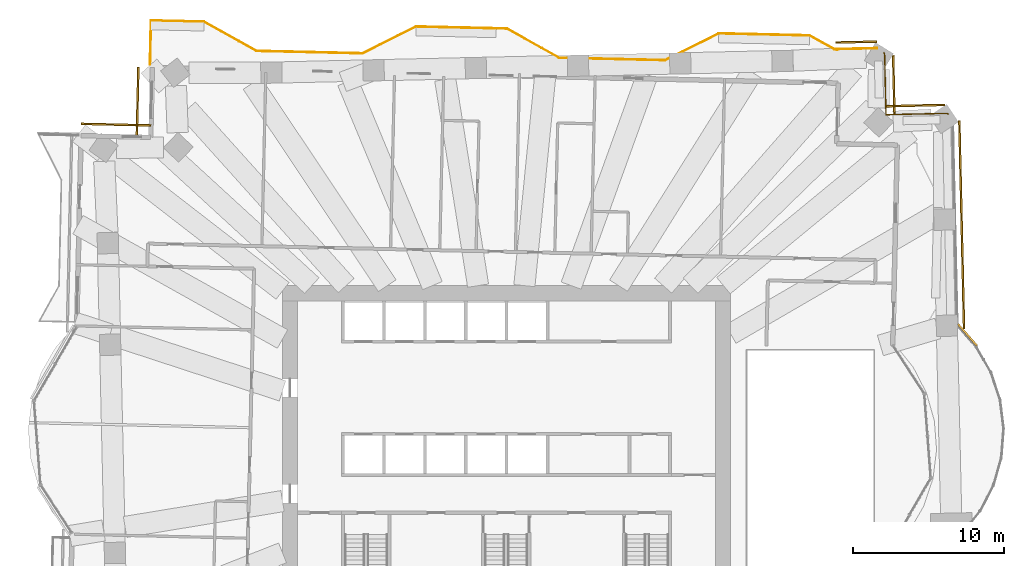
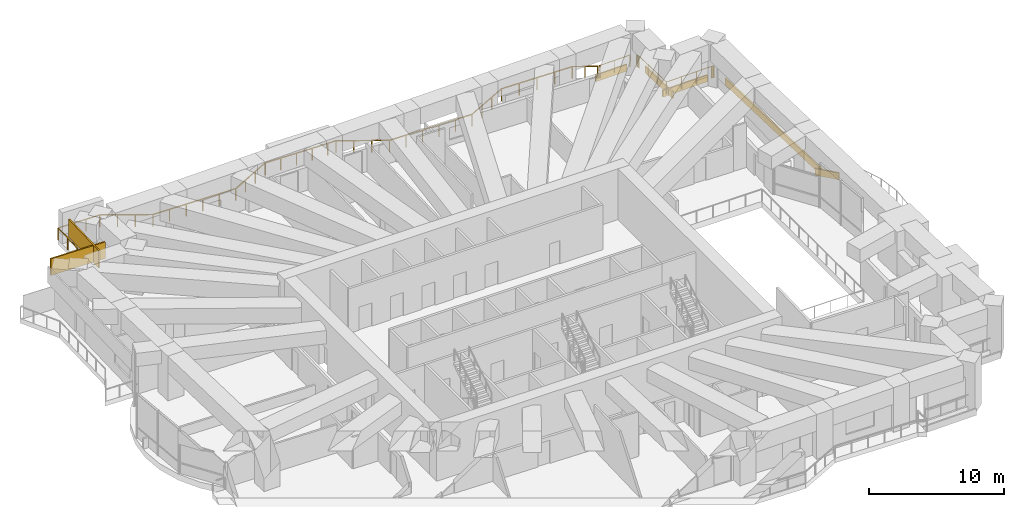
# One storey, part 20 of 20: 7 coverings, 3 railings.
"""IFC4 building model written with IfcOpenShell, lengths in metres."""

from ifc_helpers import new_model, si_unit, direction, frame, frame_2d, origin, origin_2d, place, context, subcontext, project, spatial, rectangle, extrude, material, layer, layer_set, type_object, element, save


model = new_model("IFC4")

# Units and contexts
model_context = context("Model", 3, precision=1e-05, world=origin(), true_north=direction((0.0, 1.0)))
body_context = subcontext(model_context, "Body", "Model", "MODEL_VIEW")
ifc_project = project(units=[si_unit("LENGTHUNIT", "METRE"), si_unit("AREAUNIT", "SQUARE_METRE"), si_unit("VOLUMEUNIT", "CUBIC_METRE"), si_unit("PLANEANGLEUNIT", "RADIAN"), si_unit("MASSUNIT", "GRAM", prefix="KILO")], contexts=[model_context])

# Site, building, storey
site_placement = place(None, origin())
site = spatial("IfcSite", under=ifc_project, at=site_placement, CompositionType="ELEMENT")
building_placement = place(site_placement, origin())
building = spatial("IfcBuilding", under=site, at=building_placement, Name="Mangrove Gate Tower", CompositionType="ELEMENT")
storey_placement = place(building_placement, frame((0.0, 0.0, 97.300048828125)))
storey = spatial("IfcBuildingStorey", under=building, at=storey_placement, Name="L24", CompositionType="ELEMENT", Elevation=97.300048828125)

# Railings
ifc_material_1 = material(Name="Stainless steel grade 316 with laminated glass infill", Category="steel")
railing_type = type_object("IfcRailingType", Name="Balcony guard 1100", PredefinedType="GUARDRAIL", material=ifc_material_1)
railing_1_placement = place(storey_placement, frame((21.64306640625, 27.406005859375, 0.0)))
element("IfcRailing", 1, at=railing_1_placement, inside=storey, type_object=railing_type, Name="GUARD L24 N1", PredefinedType="GUARDRAIL", context=body_context, shape_type="SweptSolid", body=[
    extrude(rectangle(XDim=0.048095703125, YDim=0.048095703125, at=origin_2d()), frame((0.0, 0.0, 1.076171875), z_axis=(-0.873330762171, 0.48712768331, 0.0), x_axis=(-0.48712768331, -0.873330762171, 0.0)), (0.0, 0.0, 1.0), 1.869873046875),
    extrude(rectangle(XDim=0.048095703125, YDim=0.048095703125, at=origin_2d()), frame((-1.633056640625, 0.910888671875, 1.076171875), z_axis=(-0.999743094499, 0.022665943652, 0.0), x_axis=(-0.022665943652, -0.999743094499, 0.0)), (0.0, 0.0, 1.0), 5.99951171875),
    extrude(rectangle(XDim=0.048095703125, YDim=0.048095703125, at=origin_2d()), frame((-7.631103515625, 1.046875, 1.076171875), z_axis=(-0.894501186021, -0.447065574839, 0.0), x_axis=(0.447065574839, -0.894501186021, 0.0)), (0.0, 0.0, 1.0), 3.958740234375),
    extrude(rectangle(XDim=0.048095703125, YDim=0.048095703125, at=origin_2d()), frame((-11.172119140625, -0.722900390625, 1.076171875), z_axis=(-0.999745352708, 0.022566119286, 0.0), x_axis=(-0.022566119286, -0.999745352708, 0.0)), (0.0, 0.0, 1.0), 6.999755859375),
    extrude(rectangle(XDim=0.048095703125, YDim=0.048095703125, at=origin_2d()), frame((-18.170166015625, -0.56494140625, 1.076171875), z_axis=(-0.873242256246, 0.487286324359, 0.0), x_axis=(-0.487286324359, -0.873242256246, 0.0)), (0.0, 0.0, 1.0), 3.95849609375),
    extrude(rectangle(XDim=0.048095703125, YDim=0.048095703125, at=origin_2d()), frame((-21.626953125, 1.364013671875, 1.076171875), z_axis=(-0.99974327323, 0.022658058842, 0.0), x_axis=(-0.022658058842, -0.99974327323, 0.0)), (0.0, 0.0, 1.0), 0.700439453125),
    extrude(rectangle(XDim=0.048095703125, YDim=0.048095703125, at=origin_2d()), frame((-22.3271484375, 1.3798828125, 1.076171875), z_axis=(-0.99974316553, 0.022662810424, 0.0), x_axis=(-0.022662810424, -0.99974316553, 0.0)), (0.0, 0.0, 1.0), 5.30029296875),
    extrude(rectangle(XDim=0.048095703125, YDim=0.048095703125, at=origin_2d()), frame((-27.6259765625, 1.5, 1.076171875), z_axis=(-0.894476522376, -0.447114919141, 0.0), x_axis=(0.447114919141, -0.894476522376, 0.0)), (0.0, 0.0, 1.0), 3.958740234375),
    extrude(rectangle(XDim=0.048095703125, YDim=0.048095703125, at=origin_2d()), frame((-31.1669921875, -0.27001953125, 1.076171875), z_axis=(-0.999742195543, 0.022705559911, 0.0), x_axis=(-0.022705559911, -0.999742195543, 0.0)), (0.0, 0.0, 1.0), 6.999755859375),
    extrude(rectangle(XDim=0.048095703125, YDim=0.048095703125, at=origin_2d()), frame((-38.1650390625, -0.111083984375, 1.076171875), z_axis=(-0.873230657876, 0.487307108654, 0.0), x_axis=(-0.487307108654, -0.873230657876, 0.0)), (0.0, 0.0, 1.0), 3.958984375),
    extrude(rectangle(XDim=0.048095703125, YDim=0.048095703125, at=origin_2d()), frame((-41.6220703125, 1.818115234375, 1.076171875), z_axis=(-0.999740394655, 0.022784716271, 0.0), x_axis=(-0.022784716271, -0.999740394655, 0.0)), (0.0, 0.0, 1.0), 3.50390625),
    extrude(rectangle(XDim=0.048095703125, YDim=0.048095703125, at=origin_2d()), frame((-45.125, 1.89794921875, 1.076171875), z_axis=(-0.02273093202, -0.999741618984, 0.0), x_axis=(0.999741618984, -0.02273093202, 0.0)), (0.0, 0.0, 1.0), 2.91064453125),
    extrude(rectangle(XDim=0.0419921875, YDim=0.0419921875, at=origin_2d()), origin(), (0.0, 0.0, 1.0), 1.052001953125),
    extrude(rectangle(XDim=0.0419921875, YDim=0.0419921875, at=origin_2d()), frame((-0.81640625, 0.45556640625, 0.0)), (0.0, 0.0, 1.0), 1.052001953125),
    extrude(rectangle(XDim=0.0419921875, YDim=0.0419921875, at=origin_2d()), frame((-1.633056640625, 0.910888671875, 0.0)), (0.0, 0.0, 1.0), 1.052001953125),
    extrude(rectangle(XDim=0.0419921875, YDim=0.0419921875, at=origin_2d()), frame((-3.132568359375, 0.94482421875, 0.0)), (0.0, 0.0, 1.0), 1.052001953125),
    extrude(rectangle(XDim=0.0419921875, YDim=0.0419921875, at=origin_2d()), frame((-4.632080078125, 0.97900390625, 0.0)), (0.0, 0.0, 1.0), 1.052001953125),
    extrude(rectangle(XDim=0.0419921875, YDim=0.0419921875, at=origin_2d()), frame((-6.131591796875, 1.012939453125, 0.0)), (0.0, 0.0, 1.0), 1.052001953125),
    extrude(rectangle(XDim=0.0419921875, YDim=0.0419921875, at=origin_2d()), frame((-7.631103515625, 1.046875, 0.0)), (0.0, 0.0, 1.0), 1.052001953125),
    extrude(rectangle(XDim=0.0419921875, YDim=0.0419921875, at=origin_2d()), frame((-8.8115234375, 0.45703125, 0.0)), (0.0, 0.0, 1.0), 1.052001953125),
    extrude(rectangle(XDim=0.0419921875, YDim=0.0419921875, at=origin_2d()), frame((-9.99169921875, -0.133056640625, 0.0)), (0.0, 0.0, 1.0), 1.052001953125),
    extrude(rectangle(XDim=0.0419921875, YDim=0.0419921875, at=origin_2d()), frame((-11.172119140625, -0.722900390625, 0.0)), (0.0, 0.0, 1.0), 1.052001953125),
    extrude(rectangle(XDim=0.0419921875, YDim=0.0419921875, at=origin_2d()), frame((-12.57177734375, -0.69140625, 0.0)), (0.0, 0.0, 1.0), 1.052001953125),
    extrude(rectangle(XDim=0.0419921875, YDim=0.0419921875, at=origin_2d()), frame((-13.971435546875, -0.65966796875, 0.0)), (0.0, 0.0, 1.0), 1.052001953125),
    extrude(rectangle(XDim=0.0419921875, YDim=0.0419921875, at=origin_2d()), frame((-15.370849609375, -0.628173828125, 0.0)), (0.0, 0.0, 1.0), 1.052001953125),
    extrude(rectangle(XDim=0.0419921875, YDim=0.0419921875, at=origin_2d()), frame((-16.7705078125, -0.596435546875, 0.0)), (0.0, 0.0, 1.0), 1.052001953125),
    extrude(rectangle(XDim=0.0419921875, YDim=0.0419921875, at=origin_2d()), frame((-18.170166015625, -0.56494140625, 0.0)), (0.0, 0.0, 1.0), 1.052001953125),
    extrude(rectangle(XDim=0.0419921875, YDim=0.0419921875, at=origin_2d()), frame((-19.322509765625, 0.078125, 0.0)), (0.0, 0.0, 1.0), 1.052001953125),
    extrude(rectangle(XDim=0.0419921875, YDim=0.0419921875, at=origin_2d()), frame((-20.474609375, 0.720947265625, 0.0)), (0.0, 0.0, 1.0), 1.052001953125),
    extrude(rectangle(XDim=0.0419921875, YDim=0.0419921875, at=origin_2d()), frame((-21.626953125, 1.364013671875, 0.0)), (0.0, 0.0, 1.0), 1.052001953125),
    extrude(rectangle(XDim=0.0419921875, YDim=0.0419921875, at=origin_2d()), frame((-22.3271484375, 1.3798828125, 0.0)), (0.0, 0.0, 1.0), 1.052001953125),
    extrude(rectangle(XDim=0.0419921875, YDim=0.0419921875, at=origin_2d()), frame((-23.65185546875, 1.409912109375, 0.0)), (0.0, 0.0, 1.0), 1.052001953125),
    extrude(rectangle(XDim=0.0419921875, YDim=0.0419921875, at=origin_2d()), frame((-24.9765625, 1.43994140625, 0.0)), (0.0, 0.0, 1.0), 1.052001953125),
    extrude(rectangle(XDim=0.0419921875, YDim=0.0419921875, at=origin_2d()), frame((-26.30126953125, 1.469970703125, 0.0)), (0.0, 0.0, 1.0), 1.052001953125),
    extrude(rectangle(XDim=0.0419921875, YDim=0.0419921875, at=origin_2d()), frame((-27.6259765625, 1.5, 0.0)), (0.0, 0.0, 1.0), 1.052001953125),
    extrude(rectangle(XDim=0.0419921875, YDim=0.0419921875, at=origin_2d()), frame((-28.806396484375, 0.909912109375, 0.0)), (0.0, 0.0, 1.0), 1.052001953125),
    extrude(rectangle(XDim=0.0419921875, YDim=0.0419921875, at=origin_2d()), frame((-29.986572265625, 0.320068359375, 0.0)), (0.0, 0.0, 1.0), 1.052001953125),
    extrude(rectangle(XDim=0.0419921875, YDim=0.0419921875, at=origin_2d()), frame((-31.1669921875, -0.27001953125, 0.0)), (0.0, 0.0, 1.0), 1.052001953125),
    extrude(rectangle(XDim=0.0419921875, YDim=0.0419921875, at=origin_2d()), frame((-32.566650390625, -0.23828125, 0.0)), (0.0, 0.0, 1.0), 1.052001953125),
    extrude(rectangle(XDim=0.0419921875, YDim=0.0419921875, at=origin_2d()), frame((-33.96630859375, -0.20654296875, 0.0)), (0.0, 0.0, 1.0), 1.052001953125),
    extrude(rectangle(XDim=0.0419921875, YDim=0.0419921875, at=origin_2d()), frame((-35.36572265625, -0.174560546875, 0.0)), (0.0, 0.0, 1.0), 1.052001953125),
    extrude(rectangle(XDim=0.0419921875, YDim=0.0419921875, at=origin_2d()), frame((-36.765380859375, -0.142822265625, 0.0)), (0.0, 0.0, 1.0), 1.052001953125),
    extrude(rectangle(XDim=0.0419921875, YDim=0.0419921875, at=origin_2d()), frame((-38.1650390625, -0.111083984375, 0.0)), (0.0, 0.0, 1.0), 1.052001953125),
    extrude(rectangle(XDim=0.0419921875, YDim=0.0419921875, at=origin_2d()), frame((-39.3173828125, 0.531982421875, 0.0)), (0.0, 0.0, 1.0), 1.052001953125),
    extrude(rectangle(XDim=0.0419921875, YDim=0.0419921875, at=origin_2d()), frame((-40.4697265625, 1.175048828125, 0.0)), (0.0, 0.0, 1.0), 1.052001953125),
    extrude(rectangle(XDim=0.0419921875, YDim=0.0419921875, at=origin_2d()), frame((-41.6220703125, 1.818115234375, 0.0)), (0.0, 0.0, 1.0), 1.052001953125),
    extrude(rectangle(XDim=0.0419921875, YDim=0.0419921875, at=origin_2d()), frame((-42.789794921875, 1.8447265625, 0.0)), (0.0, 0.0, 1.0), 1.052001953125),
    extrude(rectangle(XDim=0.0419921875, YDim=0.0419921875, at=origin_2d()), frame((-43.957275390625, 1.871337890625, 0.0)), (0.0, 0.0, 1.0), 1.052001953125),
    extrude(rectangle(XDim=0.0419921875, YDim=0.0419921875, at=origin_2d()), frame((-45.125, 1.89794921875, 0.0)), (0.0, 0.0, 1.0), 1.052001953125),
    extrude(rectangle(XDim=0.0419921875, YDim=0.0419921875, at=origin_2d()), frame((-45.158203125, 0.44287109375, 0.0)), (0.0, 0.0, 1.0), 1.052001953125),
    extrude(rectangle(XDim=0.0419921875, YDim=0.0419921875, at=origin_2d()), frame((-45.191162109375, -1.011962890625, 0.0)), (0.0, 0.0, 1.0), 1.052001953125),
])
railing_2_placement = place(storey_placement, frame((24.912109375, 27.201904296875, 0.0)))
element("IfcRailing", 2, at=railing_2_placement, inside=storey, type_object=railing_type, Name="GUARD L24 T1.1", PredefinedType="GUARDRAIL", context=body_context, shape_type="SweptSolid", body=[
    extrude(rectangle(XDim=0.048095703125, YDim=0.048095703125, at=origin_2d()), frame((0.0, 0.0, 1.076171875), z_axis=(0.461078797779, -0.887359195726, 0.0), x_axis=(0.887359195726, 0.461078797779, 0.0)), (0.0, 0.0, 1.0), 0.028076171875),
    extrude(rectangle(XDim=0.048095703125, YDim=0.048095703125, at=origin_2d()), frame((0.012939453125, -0.02490234375, 1.076171875), z_axis=(0.344548077029, -0.938768673644, 0.0), x_axis=(0.938768673644, 0.344548077029, 0.0)), (0.0, 0.0, 1.0), 0.048828125),
    extrude(rectangle(XDim=0.048095703125, YDim=0.048095703125, at=origin_2d()), frame((0.02978515625, -0.07080078125, 1.076171875), z_axis=(0.269444841931, -0.963015823939, 0.0), x_axis=(0.963015823939, 0.269444841931, 0.0)), (0.0, 0.0, 1.0), 0.048828125),
    extrude(rectangle(XDim=0.048095703125, YDim=0.048095703125, at=origin_2d()), frame((0.04296875, -0.117919921875, 1.076171875), z_axis=(0.184589743724, -0.982815662529, 0.0), x_axis=(0.982815662529, 0.184589743724, 0.0)), (0.0, 0.0, 1.0), 0.048828125),
    extrude(rectangle(XDim=0.048095703125, YDim=0.048095703125, at=origin_2d()), frame((0.052001953125, -0.166015625, 1.076171875), z_axis=(0.059892290728, -0.998204845466, 0.0), x_axis=(0.998204845466, 0.059892290728, 0.0)), (0.0, 0.0, 1.0), 0.048828125),
    extrude(rectangle(XDim=0.048095703125, YDim=0.048095703125, at=origin_2d()), frame((0.054931640625, -0.21484375, 1.076171875), z_axis=(0.022605866699, -0.999744454744, 0.0), x_axis=(0.999744454744, 0.022605866699, 0.0)), (0.0, 0.0, 1.0), 3.887939453125),
    extrude(rectangle(XDim=0.048095703125, YDim=0.048095703125, at=origin_2d()), frame((0.142822265625, -4.101806640625, 1.076171875), z_axis=(0.079745222283, -0.996815278536, 0.0), x_axis=(0.996815278536, 0.079745222283, 0.0)), (0.0, 0.0, 1.0), 0.01220703125),
    extrude(rectangle(XDim=0.048095703125, YDim=0.048095703125, at=origin_2d()), frame((0.143798828125, -4.114013671875, 1.076171875), z_axis=(1.0, 0.0, 0.0), x_axis=(0.0, 1.0, 0.0)), (0.0, 0.0, 1.0), 0.01220703125),
    extrude(rectangle(XDim=0.048095703125, YDim=0.048095703125, at=origin_2d()), frame((0.156005859375, -4.114013671875, 1.076171875), z_axis=(0.999743033624, 0.02266862855, 0.0), x_axis=(-0.02266862855, 0.999743033624, 0.0)), (0.0, 0.0, 1.0), 3.887939453125),
    extrude(rectangle(XDim=0.048095703125, YDim=0.048095703125, at=origin_2d()), frame((4.04296875, -4.02587890625, 1.076171875), z_axis=(0.99980005998, -0.0199960012, 0.0), x_axis=(0.0199960012, 0.99980005998, 0.0)), (0.0, 0.0, 1.0), 0.048828125),
    extrude(rectangle(XDim=0.048095703125, YDim=0.048095703125, at=origin_2d()), frame((4.091796875, -4.02685546875, 1.076171875), z_axis=(0.992043715201, -0.125893872487, 0.0), x_axis=(0.125893872487, 0.992043715201, 0.0)), (0.0, 0.0, 1.0), 0.048583984375),
    extrude(rectangle(XDim=0.048095703125, YDim=0.048095703125, at=origin_2d()), frame((4.139892578125, -4.032958984375, 1.076171875), z_axis=(0.974889210585, -0.222690428814, 0.0), x_axis=(0.222690428814, 0.974889210585, 0.0)), (0.0, 0.0, 1.0), 0.04931640625),
    extrude(rectangle(XDim=0.048095703125, YDim=0.048095703125, at=origin_2d()), frame((4.18798828125, -4.0439453125, 1.076171875), z_axis=(0.947192919233, -0.320664269532, 0.0), x_axis=(0.320664269532, 0.947192919233, 0.0)), (0.0, 0.0, 1.0), 0.049560546875),
    extrude(rectangle(XDim=0.048095703125, YDim=0.048095703125, at=origin_2d()), frame((4.23486328125, -4.059814453125, 1.076171875), z_axis=(0.916361402872, -0.400352069216, 0.0), x_axis=(0.400352069216, 0.916361402872, 0.0)), (0.0, 0.0, 1.0), 0.02734375),
    extrude(rectangle(XDim=0.0419921875, YDim=0.0419921875, at=origin_2d()), origin(), (0.0, 0.0, 1.0), 1.052001953125),
    extrude(rectangle(XDim=0.0419921875, YDim=0.0419921875, at=origin_2d()), frame((0.012939453125, -0.02490234375, 0.0)), (0.0, 0.0, 1.0), 1.052001953125),
    extrude(rectangle(XDim=0.0419921875, YDim=0.0419921875, at=origin_2d()), frame((0.02978515625, -0.07080078125, 0.0)), (0.0, 0.0, 1.0), 1.052001953125),
    extrude(rectangle(XDim=0.0419921875, YDim=0.0419921875, at=origin_2d()), frame((0.04296875, -0.117919921875, 0.0)), (0.0, 0.0, 1.0), 1.052001953125),
    extrude(rectangle(XDim=0.0419921875, YDim=0.0419921875, at=origin_2d()), frame((0.052001953125, -0.166015625, 0.0)), (0.0, 0.0, 1.0), 1.052001953125),
    extrude(rectangle(XDim=0.0419921875, YDim=0.0419921875, at=origin_2d()), frame((0.054931640625, -0.21484375, 0.0)), (0.0, 0.0, 1.0), 1.052001953125),
    extrude(rectangle(XDim=0.0419921875, YDim=0.0419921875, at=origin_2d()), frame((0.084228515625, -1.510498046875, 0.0)), (0.0, 0.0, 1.0), 1.052001953125),
    extrude(rectangle(XDim=0.0419921875, YDim=0.0419921875, at=origin_2d()), frame((0.113525390625, -2.80615234375, 0.0)), (0.0, 0.0, 1.0), 1.052001953125),
    extrude(rectangle(XDim=0.0419921875, YDim=0.0419921875, at=origin_2d()), frame((0.142822265625, -4.101806640625, 0.0)), (0.0, 0.0, 1.0), 1.052001953125),
    extrude(rectangle(XDim=0.0419921875, YDim=0.0419921875, at=origin_2d()), frame((0.143798828125, -4.114013671875, 0.0)), (0.0, 0.0, 1.0), 1.052001953125),
    extrude(rectangle(XDim=0.0419921875, YDim=0.0419921875, at=origin_2d()), frame((0.156005859375, -4.114013671875, 0.0)), (0.0, 0.0, 1.0), 1.052001953125),
    extrude(rectangle(XDim=0.0419921875, YDim=0.0419921875, at=origin_2d()), frame((1.45166015625, -4.084716796875, 0.0)), (0.0, 0.0, 1.0), 1.052001953125),
    extrude(rectangle(XDim=0.0419921875, YDim=0.0419921875, at=origin_2d()), frame((2.747314453125, -4.05517578125, 0.0)), (0.0, 0.0, 1.0), 1.052001953125),
    extrude(rectangle(XDim=0.0419921875, YDim=0.0419921875, at=origin_2d()), frame((4.04296875, -4.02587890625, 0.0)), (0.0, 0.0, 1.0), 1.052001953125),
    extrude(rectangle(XDim=0.0419921875, YDim=0.0419921875, at=origin_2d()), frame((4.091796875, -4.02685546875, 0.0)), (0.0, 0.0, 1.0), 1.052001953125),
    extrude(rectangle(XDim=0.0419921875, YDim=0.0419921875, at=origin_2d()), frame((4.139892578125, -4.032958984375, 0.0)), (0.0, 0.0, 1.0), 1.052001953125),
    extrude(rectangle(XDim=0.0419921875, YDim=0.0419921875, at=origin_2d()), frame((4.18798828125, -4.0439453125, 0.0)), (0.0, 0.0, 1.0), 1.052001953125),
    extrude(rectangle(XDim=0.0419921875, YDim=0.0419921875, at=origin_2d()), frame((4.23486328125, -4.059814453125, 0.0)), (0.0, 0.0, 1.0), 1.052001953125),
    extrude(rectangle(XDim=0.0419921875, YDim=0.0419921875, at=origin_2d()), frame((4.260009765625, -4.07080078125, 0.0)), (0.0, 0.0, 1.0), 1.052001953125),
])
railing_3_placement = place(storey_placement, frame((21.8291015625, 27.365966796875, 0.0)))
element("IfcRailing", 3, at=railing_3_placement, inside=storey, type_object=railing_type, Name="GUARD L24 T1.4", PredefinedType="GUARDRAIL", context=body_context, shape_type="SweptSolid", body=[
    extrude(rectangle(XDim=0.048095703125, YDim=0.048095703125, at=origin_2d()), frame((0.0, 0.0, 1.076171875), z_axis=(-0.873222183063, 0.487322294797, 0.0), x_axis=(-0.487322294797, -0.873222183063, 0.0)), (0.0, 0.0, 1.0), 0.0986328125),
    extrude(rectangle(XDim=0.048095703125, YDim=0.048095703125, at=origin_2d()), frame((-0.086181640625, 0.048095703125, 1.076171875), z_axis=(0.999747057043, 0.022490485401, 0.0), x_axis=(-0.022490485401, 0.999747057043, 0.0)), (0.0, 0.0, 1.0), 2.7138671875),
    extrude(rectangle(XDim=0.0419921875, YDim=0.0419921875, at=origin_2d()), origin(), (0.0, 0.0, 1.0), 1.052001953125),
    extrude(rectangle(XDim=0.0419921875, YDim=0.0419921875, at=origin_2d()), frame((-0.086181640625, 0.048095703125, 0.0)), (0.0, 0.0, 1.0), 1.052001953125),
    extrude(rectangle(XDim=0.0419921875, YDim=0.0419921875, at=origin_2d()), frame((1.2705078125, 0.07861328125, 0.0)), (0.0, 0.0, 1.0), 1.052001953125),
    extrude(rectangle(XDim=0.0419921875, YDim=0.0419921875, at=origin_2d()), frame((2.626953125, 0.109130859375, 0.0)), (0.0, 0.0, 1.0), 1.052001953125),
])

# Coverings
ifc_material_2 = material(Name="Limestone", Category="masonry")
ifc_layer_1 = layer(ifc_material_2, 0.0400390625, Name="Limestone cladding")
ifc_material_3 = material(Name="Stainless steel anchors and cavity", Category="steel")
ifc_layer_2 = layer(ifc_material_3, 0.080078125, Name="Fixing cavity")
ifc_layer_set = layer_set([ifc_layer_1, ifc_layer_2], Name="Joint fascia cladding 120")
covering_type = type_object("IfcCoveringType", Name="Joint fascia cladding 120", PredefinedType="CLADDING", material=ifc_layer_set)
covering_1_placement = place(storey_placement, frame((-24.322021484375, 26.221923828125, 2.449951171875), z_axis=(0.0, 0.0, 1.0), x_axis=(-0.02278640693, -0.999740356122, 0.0)))
element("IfcCovering", 4, at=covering_1_placement, inside=storey, type_object=covering_type, Name="STONE FASCIA L24 W6.1", PredefinedType="CLADDING", context=body_context, shape_type="SweptSolid", body=[
    extrude(rectangle(XDim=4.607177734375, YDim=0.1201171875, at=frame_2d((2.3037109375, 0.0))), origin(), (0.0, 0.0, 1.0), 1.60009765625),
])
covering_2_placement = place(storey_placement, frame((-23.489013671875, 22.3798828125, 2.550048828125), z_axis=(0.0, 0.0, 1.0), x_axis=(-0.999738344065, 0.022874514322, 0.0)))
element("IfcCovering", 5, at=covering_2_placement, inside=storey, type_object=covering_type, Name="STONE FASCIA L24 N7.1", PredefinedType="CLADDING", context=body_context, shape_type="SweptSolid", body=[
    extrude(rectangle(XDim=4.60009765625, YDim=0.1201171875, at=frame_2d((2.300048828125, 0.0))), origin(), (0.0, 0.0, 1.0), 1.5),
])
covering_3_placement = place(storey_placement, frame((25.527099609375, 26.9990234375, -0.60009765625), z_axis=(0.0, 0.0, 1.0), x_axis=(0.022600525503, -0.999744575503, 0.0)))
element("IfcCovering", 6, at=covering_3_placement, inside=storey, type_object=covering_type, Name="STONE FASCIA L24 TB21-1.1", PredefinedType="CLADDING", context=body_context, shape_type="SweptSolid", body=[
    extrude(rectangle(XDim=3.899658203125, YDim=0.1201171875, at=frame_2d((1.94970703125, 0.0))), origin(), (0.0, 0.0, 1.0), 0.60009765625),
])
covering_4_placement = place(storey_placement, frame((25.04248046875, 23.647705078125, -0.60009765625), z_axis=(0.0, 0.0, 1.0), x_axis=(0.999743255432, 0.022658844131, 0.0)))
element("IfcCovering", 7, at=covering_4_placement, inside=storey, type_object=covering_type, Name="STONE FASCIA L24 TB21-1.2", PredefinedType="CLADDING", context=body_context, shape_type="SweptSolid", body=[
    extrude(rectangle(XDim=3.900390625, YDim=0.1201171875, at=frame_2d((1.9501953125, 0.0))), origin(), (0.0, 0.0, 1.0), 0.60009765625),
])
covering_5_placement = place(storey_placement, frame((29.89794921875, 22.697021484375, -0.60009765625), z_axis=(0.0, 0.0, 1.0), x_axis=(0.022642277352, -0.999743630776, 0.0)))
element("IfcCovering", 8, at=covering_5_placement, inside=storey, type_object=covering_type, Name="STONE FASCIA L24 TB21-2.1", PredefinedType="CLADDING", context=body_context, shape_type="SweptSolid", body=[
    extrude(rectangle(XDim=13.73681640625, YDim=0.1201171875, at=frame_2d((6.868408203125, 0.0))), origin(), (0.0, 0.0, 1.0), 0.60009765625),
])
covering_6_placement = place(storey_placement, frame((29.81591796875, 9.25390625, -0.60009765625), z_axis=(0.0, 0.0, 1.0), x_axis=(0.66014976382, -0.751134002245, 0.0)))
element("IfcCovering", 9, at=covering_6_placement, inside=storey, type_object=covering_type, Name="STONE FASCIA L24 TB21-2.2", PredefinedType="CLADDING", context=body_context, shape_type="SweptSolid", body=[
    extrude(rectangle(XDim=1.89990234375, YDim=0.1201171875, at=frame_2d((0.949951171875, 0.0))), origin(), (0.0, 0.0, 1.0), 0.60009765625),
])
covering_7_placement = place(storey_placement, frame((21.73291015625, 27.85595703125, -0.60009765625), z_axis=(0.0, 0.0, 1.0), x_axis=(0.999747057043, 0.022490485401, 0.0)))
element("IfcCovering", 10, at=covering_7_placement, inside=storey, type_object=covering_type, Name="STONE FASCIA L24 TB21-4.1", PredefinedType="CLADDING", context=body_context, shape_type="SweptSolid", body=[
    extrude(rectangle(XDim=2.7138671875, YDim=0.1201171875, at=frame_2d((1.35693359375, 0.0))), origin(), (0.0, 0.0, 1.0), 0.60009765625),
])

save(model, "model.ifc")
